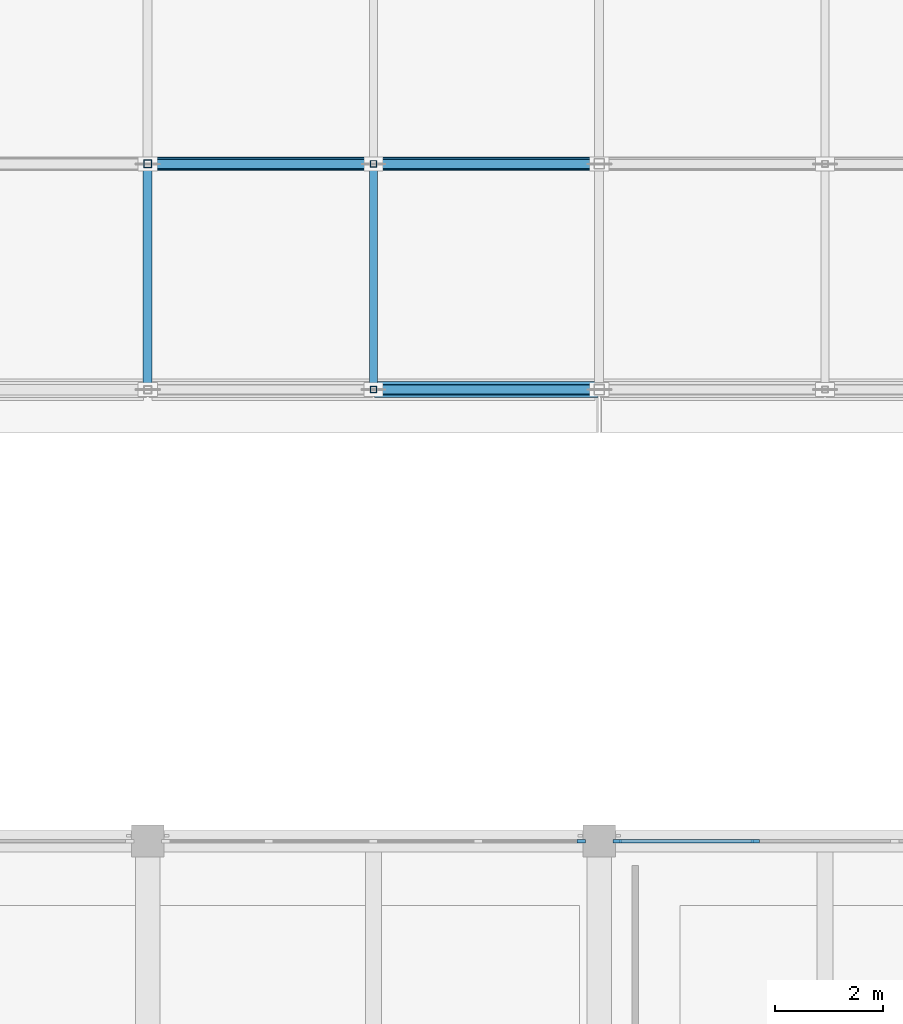
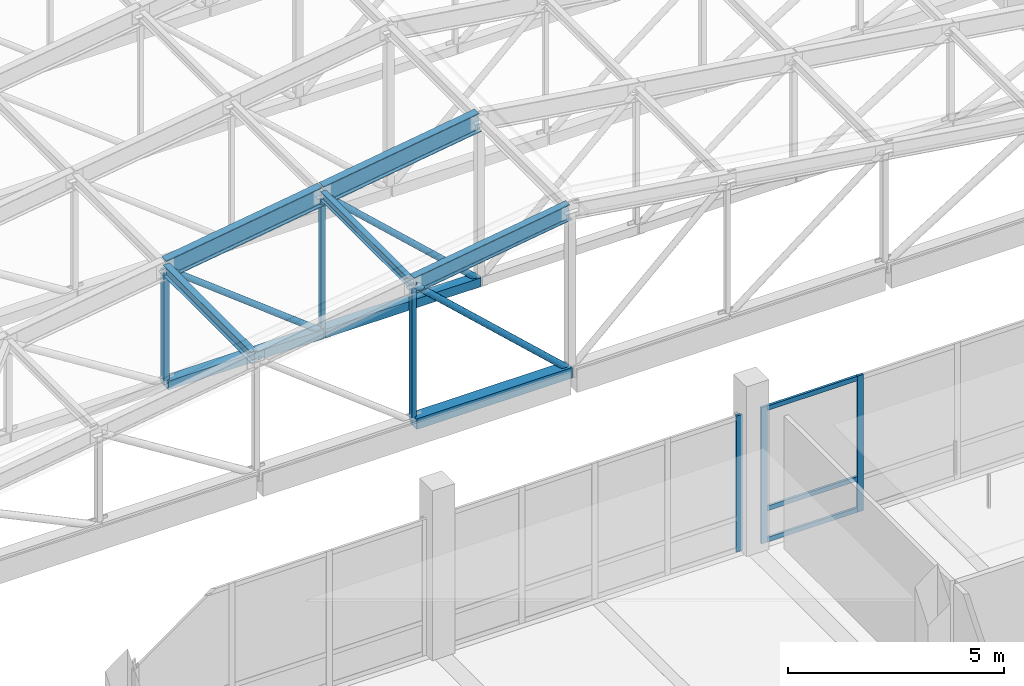
# One storey, part 25 of 122: 20 members, 2 elements without a shape of their own.
"""IFC4 building model written with IfcOpenShell, lengths in metres."""

from ifc_helpers import new_model, si_unit, direction, frame, origin, origin_2d, place, context, subcontext, project, spatial, rectangle, hollow_rectangle, hollow_circle, i_section, extrude, material, layer, layer_set, material_profile, profile_set, type_object, element, aggregate, save


model = new_model("IFC4")

# Units and contexts
model_context = context("Model", 3, precision=1e-05, world=origin(), true_north=direction((0.0, 1.0)))
body_context = subcontext(model_context, "Body", "Model", "MODEL_VIEW")
ifc_project = project(units=[si_unit("LENGTHUNIT", "METRE"), si_unit("AREAUNIT", "SQUARE_METRE"), si_unit("VOLUMEUNIT", "CUBIC_METRE"), si_unit("PLANEANGLEUNIT", "RADIAN"), si_unit("MASSUNIT", "GRAM", prefix="KILO")], contexts=[model_context])

# Site, building, storey
site_placement = place(None, origin())
site = spatial("IfcSite", under=ifc_project, at=site_placement, CompositionType="ELEMENT")
building_placement = place(site_placement, origin())
building = spatial("IfcBuilding", under=site, at=building_placement, Name="Telukmera Botanical Conservatory", CompositionType="ELEMENT")
storey_placement = place(building_placement, frame((0.0, 0.0, 10.199951171875)))
storey = spatial("IfcBuildingStorey", under=building, at=storey_placement, Name="L02", CompositionType="ELEMENT", Elevation=10.199951171875)

# Curtain wall, member
ifc_material_1 = material(Name="Anodised aluminium 6063-T6", Category="aluminium")
ifc_layer_1 = layer(ifc_material_1, 0.179931640625)
ifc_layer_set_1 = layer_set([ifc_layer_1], Name="Anodised aluminium 6063-T6")
curtain_wall_type_1 = type_object("IfcCurtainWallType", Name="Visitor Gallery First Floor Curtain Wall 1800 Mod", PredefinedType="USERDEFINED", material=ifc_layer_set_1)
curtain_wall_1_placement = place(storey_placement, origin())
curtain_wall_1 = element("IfcCurtainWall", 1, at=curtain_wall_1_placement, inside=storey, type_object=curtain_wall_type_1, Name="Unitised Curtain Wall CW08 V3:L02:N2", ObjectType="UNITISED CURTAIN WALL", PredefinedType="USERDEFINED")
ifc_material_profile_1 = material_profile(ifc_material_1, rectangle(XDim=0.06494140625, YDim=0.159912109375, at=origin_2d()), Name="ALU MULL 65x160")
ifc_profile_set_1 = profile_set([ifc_material_profile_1], Name="Anodised aluminium 6063-T6")
member_type_1 = type_object("IfcMemberType", Name="Curtain Wall Extruded Mullion 65x160", PredefinedType="MULLION", material=ifc_profile_set_1)
member_1_placement = place(storey_placement, frame((24.865478515625, 74.800048828125, 0.0), z_axis=(0.0, 0.0, 1.0), x_axis=(0.0, 1.0, 0.0)))
member_1 = element("IfcMember", 2, at=member_1_placement, type_object=member_type_1, Name="CW08 mullion 5", PredefinedType="MULLION", context=body_context, shape_type="SweptSolid", body=[
    extrude(rectangle(XDim=0.06494140625, YDim=0.159912109375, at=origin_2d()), origin(), (0.0, 0.0, 1.0), 3.85009765625),
])
aggregate(curtain_wall_1, [member_1])

# Curtain wall, members
ifc_layer_2 = layer(ifc_material_1, 0.179931640625)
ifc_layer_set_2 = layer_set([ifc_layer_2], Name="Anodised aluminium 6063-T6")
curtain_wall_type_2 = type_object("IfcCurtainWallType", Name="Visitor Gallery Second Floor Curtain Wall 2400 Mod", PredefinedType="USERDEFINED", material=ifc_layer_set_2)
curtain_wall_2_placement = place(storey_placement, origin())
curtain_wall_2 = element("IfcCurtainWall", 3, at=curtain_wall_2_placement, inside=storey, type_object=curtain_wall_type_2, Name="Unitised Curtain Wall CW09 V3:L02:N3", ObjectType="UNITISED CURTAIN WALL", PredefinedType="USERDEFINED")
member_2_placement = place(storey_placement, frame((25.534423828125, 74.800048828125, 0.0), z_axis=(0.0, 0.0, 1.0), x_axis=(0.0, 1.0, 0.0)))
member_2 = element("IfcMember", 4, at=member_2_placement, type_object=member_type_1, Name="CW09 mullion 1", PredefinedType="MULLION", context=body_context, shape_type="SweptSolid", body=[
    extrude(rectangle(XDim=0.06494140625, YDim=0.159912109375, at=origin_2d()), origin(), (0.0, 0.0, 1.0), 3.85009765625),
])
member_3_placement = place(storey_placement, frame((28.1005859375, 74.800048828125, 0.0), z_axis=(0.0, 0.0, 1.0), x_axis=(0.0, 1.0, 0.0)))
member_3 = element("IfcMember", 5, at=member_3_placement, type_object=member_type_1, Name="CW09 mullion 2", PredefinedType="MULLION", context=body_context, shape_type="SweptSolid", body=[
    extrude(rectangle(XDim=0.06494140625, YDim=0.159912109375, at=origin_2d()), origin(), (0.0, 0.0, 1.0), 3.85009765625),
])
ifc_material_profile_2 = material_profile(ifc_material_1, rectangle(XDim=0.06494140625, YDim=0.1298828125, at=origin_2d()), Name="ALU TRAN 65x130")
ifc_profile_set_2 = profile_set([ifc_material_profile_2], Name="Anodised aluminium 6063-T6")
member_type_2 = type_object("IfcMemberType", Name="Curtain Wall Extruded Transom 65x130", PredefinedType="USERDEFINED", material=ifc_profile_set_2)
member_4_placement = place(storey_placement, frame((25.56689453125, 74.800048828125, 0.06494140625), z_axis=(1.0, 0.0, 0.0), x_axis=(0.0, 1.0, 0.0)))
member_4 = element("IfcMember", 6, at=member_4_placement, type_object=member_type_2, Name="CW09 transom 1.1", ObjectType="TRANSOM", PredefinedType="USERDEFINED", context=body_context, shape_type="SweptSolid", body=[
    extrude(rectangle(XDim=0.06494140625, YDim=0.1298828125, at=origin_2d()), origin(), (0.0, 0.0, 1.0), 2.501220703125),
])
member_5_placement = place(storey_placement, frame((25.56689453125, 74.800048828125, 0.949951171875), z_axis=(1.0, 0.0, 0.0), x_axis=(0.0, 1.0, 0.0)))
member_5 = element("IfcMember", 7, at=member_5_placement, type_object=member_type_2, Name="CW09 transom 1.2", ObjectType="TRANSOM", PredefinedType="USERDEFINED", context=body_context, shape_type="SweptSolid", body=[
    extrude(rectangle(XDim=0.06494140625, YDim=0.1298828125, at=origin_2d()), origin(), (0.0, 0.0, 1.0), 2.501220703125),
])
member_6_placement = place(storey_placement, frame((25.56689453125, 74.800048828125, 3.78515625), z_axis=(1.0, 0.0, 0.0), x_axis=(0.0, 1.0, 0.0)))
member_6 = element("IfcMember", 8, at=member_6_placement, type_object=member_type_2, Name="CW09 transom 1.3", ObjectType="TRANSOM", PredefinedType="USERDEFINED", context=body_context, shape_type="SweptSolid", body=[
    extrude(rectangle(XDim=0.06494140625, YDim=0.1298828125, at=origin_2d()), origin(), (0.0, 0.0, 1.0), 2.501220703125),
])
aggregate(curtain_wall_2, [member_2, member_3, member_4, member_5, member_6])

# Members
ifc_material_2 = material(Name="Steel S355", Category="steel")
ifc_material_profile_3 = material_profile(ifc_material_2, i_section(OverallWidth=0.210693359375, OverallDepth=0.53955078125, WebThickness=0.01171875, FlangeThickness=0.018798828125, FilletRadius=0.0126953125, at=origin_2d()), Name="UB 533x210x109")
ifc_profile_set_3 = profile_set([ifc_material_profile_3], Name="Steel S355")
member_type_3 = type_object("IfcMemberType", Name="Mem_TC1", PredefinedType="CHORD", material=ifc_profile_set_3)
for number, where, z_axis, x_axis, name in (
    (9, (16.81982421875, 87.39990234375, 3.178466796875), (0.989022603236, 0.0, 0.147764306545), (0.0, 1.0, 0.0), "Auditorium Pratt Truss Top Chord T2-3"),
    (10, (21.019775390625, 87.39990234375, 3.80615234375), (0.989022603236, 0.0, 0.147764306545), (0.0, 1.0, 0.0), "Auditorium Pratt Truss Top Chord T2-4"),
):
    element("IfcMember", number, at=place(storey_placement, frame(where, z_axis=z_axis, x_axis=x_axis)), inside=storey, type_object=member_type_3, Name=name, PredefinedType="CHORD", context=body_context, shape_type="SweptSolid", body=[
        extrude(i_section(OverallWidth=0.210693359375, OverallDepth=0.53955078125, WebThickness=0.01171875, FlangeThickness=0.018798828125, FilletRadius=0.0126953125, at=origin_2d()), origin(), (0.0, 0.0, 1.0), 4.20654296875),
    ])
ifc_material_profile_4 = material_profile(ifc_material_2, hollow_rectangle(XDim=0.25, YDim=0.25, WallThickness=0.012451171875, at=origin_2d()), Name="SHS 250x250x12.5")
ifc_profile_set_4 = profile_set([ifc_material_profile_4], Name="Steel S355")
member_type_4 = type_object("IfcMemberType", Name="Mem_TC2", PredefinedType="CHORD", material=ifc_profile_set_4)
for number, where, z_axis, x_axis, name in (
    (11, (16.820068359375, 87.39990234375, -0.079833984375), (1.0, 0.0, 0.0), (0.0, 1.0, 0.0), "Auditorium Pratt Truss Bottom Chord T2-3"),
    (12, (21.02001953125, 87.39990234375, -0.079833984375), (1.0, 0.0, 0.0), (0.0, 1.0, 0.0), "Auditorium Pratt Truss Bottom Chord T2-4"),
):
    element("IfcMember", number, at=place(storey_placement, frame(where, z_axis=z_axis, x_axis=x_axis)), inside=storey, type_object=member_type_4, Name=name, PredefinedType="CHORD", context=body_context, shape_type="SweptSolid", body=[
        extrude(hollow_rectangle(XDim=0.25, YDim=0.25, WallThickness=0.012451171875, at=origin_2d()), origin(), (0.0, 0.0, 1.0), 4.159912109375),
    ])
ifc_material_profile_5 = material_profile(ifc_material_2, hollow_rectangle(XDim=0.300048828125, YDim=0.300048828125, WallThickness=0.012451171875, at=origin_2d()), Name="SHS 300x300x12.5")
ifc_profile_set_5 = profile_set([ifc_material_profile_5], Name="Steel S355")
member_type_5 = type_object("IfcMemberType", Name="Mem_TC3", PredefinedType="CHORD", material=ifc_profile_set_5)
member_7_placement = place(storey_placement, frame((21.02001953125, 83.199951171875, -0.079833984375), z_axis=(1.0, 0.0, 0.0), x_axis=(0.0, 1.0, 0.0)))
element("IfcMember", 13, at=member_7_placement, inside=storey, type_object=member_type_5, Name="Auditorium Pratt Truss Bottom Chord T1-4", PredefinedType="CHORD", context=body_context, shape_type="SweptSolid", body=[
    extrude(hollow_rectangle(XDim=0.300048828125, YDim=0.300048828125, WallThickness=0.012451171875, at=origin_2d()), origin(), (0.0, 0.0, 1.0), 4.159912109375),
])
ifc_material_profile_6 = material_profile(ifc_material_2, i_section(OverallWidth=0.19140625, OverallDepth=0.4599609375, WebThickness=0.010009765625, FlangeThickness=0.01611328125, FilletRadius=0.01025390625, at=origin_2d()), Name="UB 457x191x82")
ifc_profile_set_6 = profile_set([ifc_material_profile_6], Name="Steel S355")
member_type_6 = type_object("IfcMemberType", Name="Mem_TC4", PredefinedType="CHORD", material=ifc_profile_set_6)
member_8_placement = place(storey_placement, frame((21.019775390625, 83.199951171875, 3.80615234375), z_axis=(0.989022603236, 0.0, 0.147764306545), x_axis=(0.0, 1.0, 0.0)))
element("IfcMember", 14, at=member_8_placement, inside=storey, type_object=member_type_6, Name="Auditorium Pratt Truss Top Chord T1-4", PredefinedType="CHORD", context=body_context, shape_type="SweptSolid", body=[
    extrude(i_section(OverallWidth=0.19140625, OverallDepth=0.4599609375, WebThickness=0.010009765625, FlangeThickness=0.01611328125, FilletRadius=0.01025390625, at=origin_2d()), origin(), (0.0, 0.0, 1.0), 4.20654296875),
])
ifc_material_profile_7 = material_profile(ifc_material_2, hollow_circle(Radius=0.084228515625, WallThickness=0.008056640625, at=origin_2d()), Name="CHS 168.3x8.0")
ifc_profile_set_7 = profile_set([ifc_material_profile_7], Name="Steel S355")
member_type_7 = type_object("IfcMemberType", Name="Mem_TD2", PredefinedType="BRACE", material=ifc_profile_set_7)
member_9_placement = place(storey_placement, frame((21.02197265625, 83.199951171875, 3.78271484375), z_axis=(0.734277342079, 0.0, -0.678849604044), x_axis=(0.0, 1.0, 0.0)))
element("IfcMember", 15, at=member_9_placement, inside=storey, type_object=member_type_7, Name="Auditorium Pratt Truss Web Diagonal T1-D4", PredefinedType="BRACE", context=body_context, shape_type="SweptSolid", body=[
    extrude(hollow_circle(Radius=0.084228515625, WallThickness=0.008056640625, at=origin_2d()), origin(), (0.0, 0.0, 1.0), 5.659912109375),
])
member_10_placement = place(storey_placement, frame((16.82373046875, 87.39990234375, 3.156982421875), z_axis=(0.790391989469, 0.0, -0.61260142261), x_axis=(0.0, 1.0, 0.0)))
element("IfcMember", 16, at=member_10_placement, inside=storey, type_object=member_type_7, Name="Auditorium Pratt Truss Web Diagonal T2-D3", PredefinedType="BRACE", context=body_context, shape_type="SweptSolid", body=[
    extrude(hollow_circle(Radius=0.084228515625, WallThickness=0.008056640625, at=origin_2d()), origin(), (0.0, 0.0, 1.0), 5.25390625),
])
member_11_placement = place(storey_placement, frame((21.02197265625, 87.39990234375, 3.78271484375), z_axis=(0.734277342079, 0.0, -0.678849604044), x_axis=(0.0, 1.0, 0.0)))
element("IfcMember", 17, at=member_11_placement, inside=storey, type_object=member_type_7, Name="Auditorium Pratt Truss Web Diagonal T2-D4", PredefinedType="BRACE", context=body_context, shape_type="SweptSolid", body=[
    extrude(hollow_circle(Radius=0.084228515625, WallThickness=0.008056640625, at=origin_2d()), origin(), (0.0, 0.0, 1.0), 5.659912109375),
])
ifc_material_profile_8 = material_profile(ifc_material_2, i_section(OverallWidth=0.165771484375, OverallDepth=0.306640625, WebThickness=0.006591796875, FlangeThickness=0.01171875, FilletRadius=0.0087890625, at=origin_2d()), Name="UB 305x165x46")
ifc_profile_set_8 = profile_set([ifc_material_profile_8], Name="Steel S355")
member_type_8 = type_object("IfcMemberType", Name="Mem_TPB1", PredefinedType="PURLIN", material=ifc_profile_set_8)
member_12_placement = place(storey_placement, frame((16.800048828125, 83.260009765625, 3.175537109375), z_axis=(0.0, 1.0, 0.0), x_axis=(-1.0, 0.0, 0.0)))
element("IfcMember", 18, at=member_12_placement, inside=storey, type_object=member_type_8, Name="Auditorium Roof Steel Purlin P1-2", PredefinedType="PURLIN", context=body_context, shape_type="SweptSolid", body=[
    extrude(i_section(OverallWidth=0.165771484375, OverallDepth=0.306640625, WebThickness=0.006591796875, FlangeThickness=0.01171875, FilletRadius=0.0087890625, at=origin_2d()), origin(), (0.0, 0.0, 1.0), 4.080078125),
])
ifc_material_profile_9 = material_profile(ifc_material_2, i_section(OverallWidth=0.146484375, OverallDepth=0.256103515625, WebThickness=0.00634765625, FlangeThickness=0.010986328125, FilletRadius=0.007568359375, at=origin_2d()), Name="UB 254x146x37")
ifc_profile_set_9 = profile_set([ifc_material_profile_9], Name="Steel S355")
member_type_9 = type_object("IfcMemberType", Name="Mem_TPB2", PredefinedType="PURLIN", material=ifc_profile_set_9)
member_13_placement = place(storey_placement, frame((21.0, 83.260009765625, 3.80322265625), z_axis=(0.0, 1.0, 0.0), x_axis=(-1.0, 0.0, 0.0)))
element("IfcMember", 19, at=member_13_placement, inside=storey, type_object=member_type_9, Name="Auditorium Roof Steel Purlin P1-3", PredefinedType="PURLIN", context=body_context, shape_type="SweptSolid", body=[
    extrude(i_section(OverallWidth=0.146484375, OverallDepth=0.256103515625, WebThickness=0.00634765625, FlangeThickness=0.010986328125, FilletRadius=0.007568359375, at=origin_2d()), origin(), (0.0, 0.0, 1.0), 4.080078125),
])
ifc_material_profile_10 = material_profile(ifc_material_2, hollow_rectangle(XDim=0.14990234375, YDim=0.14990234375, WallThickness=0.008056640625, at=origin_2d()), Name="SHS 150x150x8.0")
ifc_profile_set_10 = profile_set([ifc_material_profile_10], Name="Steel S355")
member_type_10 = type_object("IfcMemberType", Name="Mem_TV2", PredefinedType="POST", material=ifc_profile_set_10)
member_14_placement = place(storey_placement, frame((16.800048828125, 87.39990234375, -0.06005859375), z_axis=(0.0, 0.0, 1.0), x_axis=(1.0, 0.0, 0.0)))
element("IfcMember", 20, at=member_14_placement, inside=storey, type_object=member_type_10, Name="Auditorium Pratt Truss Vertical T2-V2", PredefinedType="POST", context=body_context, shape_type="SweptSolid", body=[
    extrude(hollow_rectangle(XDim=0.14990234375, YDim=0.14990234375, WallThickness=0.008056640625, at=origin_2d()), origin(), (0.0, 0.0, 1.0), 3.215576171875),
])
ifc_material_profile_11 = material_profile(ifc_material_2, hollow_rectangle(XDim=0.1201171875, YDim=0.1201171875, WallThickness=0.00634765625, at=origin_2d()), Name="SHS 120x120x6.3")
ifc_profile_set_11 = profile_set([ifc_material_profile_11], Name="Steel S355")
member_type_11 = type_object("IfcMemberType", Name="Mem_TV3", PredefinedType="POST", material=ifc_profile_set_11)
for number, where, z_axis, x_axis, name in (
    (21, (21.0, 83.199951171875, -0.06005859375), (0.0, 0.0, 1.0), (1.0, 0.0, 0.0), "Auditorium Pratt Truss Vertical T1-V3"),
    (22, (21.0, 87.39990234375, -0.06005859375), (0.0, 0.0, 1.0), (1.0, 0.0, 0.0), "Auditorium Pratt Truss Vertical T2-V3"),
):
    element("IfcMember", number, at=place(storey_placement, frame(where, z_axis=z_axis, x_axis=x_axis)), inside=storey, type_object=member_type_11, Name=name, PredefinedType="POST", context=body_context, shape_type="SweptSolid", body=[
        extrude(hollow_rectangle(XDim=0.1201171875, YDim=0.1201171875, WallThickness=0.00634765625, at=origin_2d()), origin(), (0.0, 0.0, 1.0), 3.84326171875),
    ])

save(model, "model.ifc")
